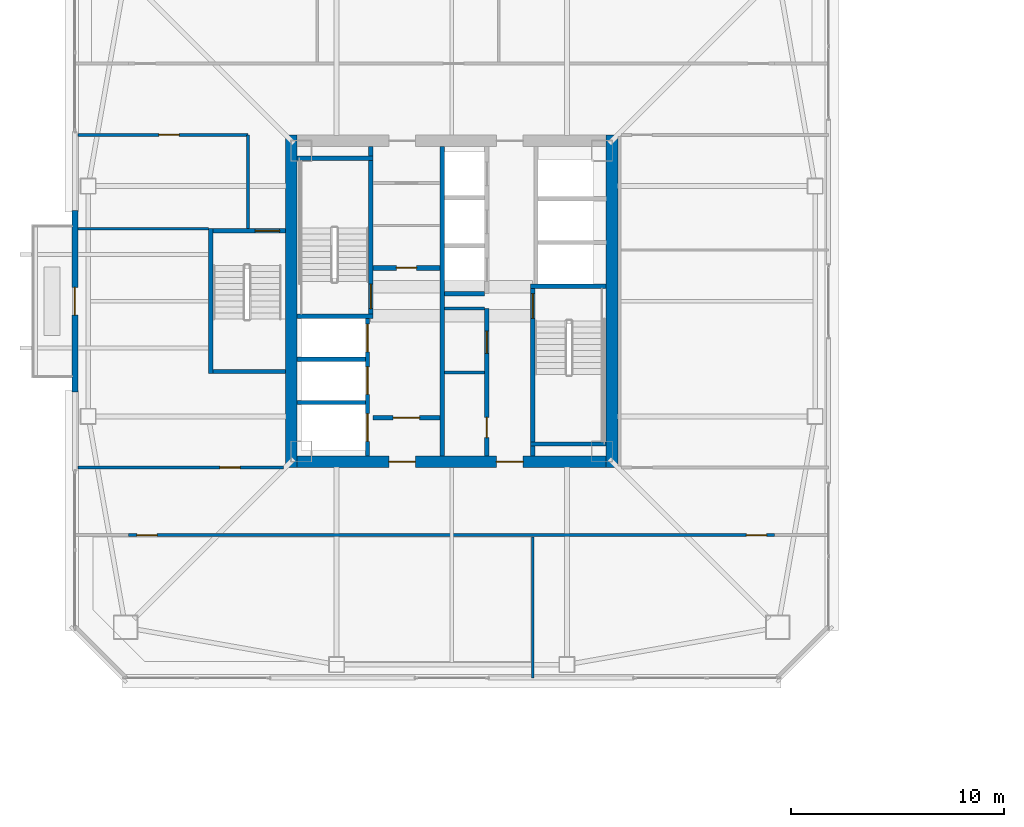
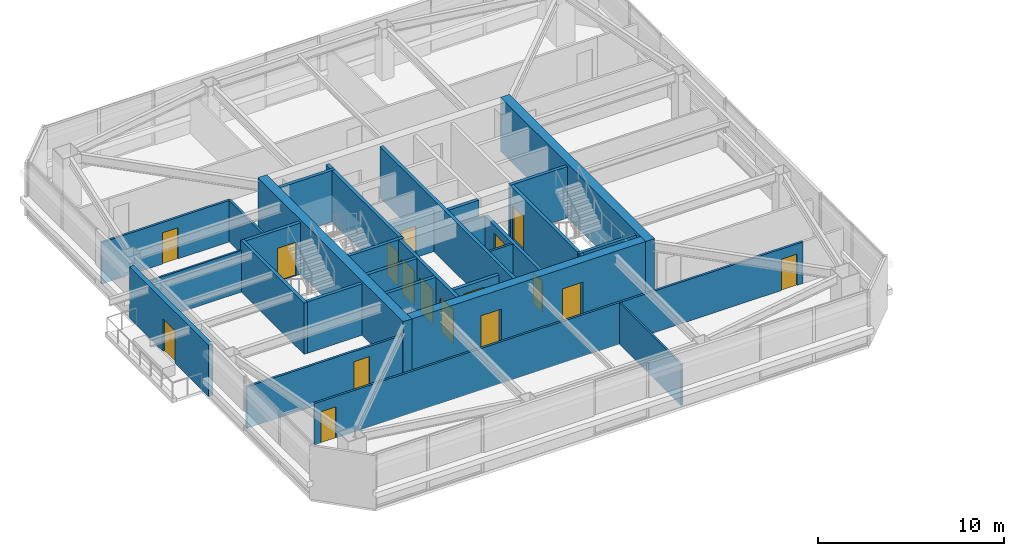
# One storey, part 33 of 43: 29 walls, 17 doors, 17 openings.
"""IFC4 building model written with IfcOpenShell, lengths in metres."""

from ifc_helpers import new_model, si_unit, direction, frame, frame_2d, origin, place, context, subcontext, project, spatial, rectangle, extrude, material, layer, layer_set, type_object, element, fill, save


model = new_model("IFC4")

# Units and contexts
model_context = context("Model", 3, precision=1e-05, world=origin(), true_north=direction((0.0, 1.0)))
body_context = subcontext(model_context, "Body", "Model", "MODEL_VIEW")
ifc_project = project(units=[si_unit("LENGTHUNIT", "METRE"), si_unit("AREAUNIT", "SQUARE_METRE"), si_unit("VOLUMEUNIT", "CUBIC_METRE"), si_unit("PLANEANGLEUNIT", "RADIAN"), si_unit("MASSUNIT", "GRAM", prefix="KILO")], contexts=[model_context])

# Site, building, storey
site_placement = place(None, origin())
site = spatial("IfcSite", under=ifc_project, at=site_placement, CompositionType="ELEMENT")
building_placement = place(site_placement, origin())
building = spatial("IfcBuilding", under=site, at=building_placement, Name="Tashvorn Skyway Center", CompositionType="ELEMENT")
storey_placement = place(building_placement, frame((0.0, 0.0, 185.39990234375)))
storey = spatial("IfcBuildingStorey", under=building, at=storey_placement, Name="L50", CompositionType="ELEMENT", Elevation=185.39990234375)

# Walls
ifc_material_1 = material(Name="Concrete C60/75", Category="concrete")
ifc_layer_1 = layer(ifc_material_1, 0.550048828125)
ifc_layer_set_1 = layer_set([ifc_layer_1], Name="Concrete C60/75")
wall_type_1 = type_object("IfcWallType", Name="WALL-CORE-550", PredefinedType="SHEAR", material=ifc_layer_set_1)
for number, where, z_axis, x_axis, name in (
    (1, (34.47509765625, 24.199951171875, 0.0), (0.0, 0.0, 1.0), (0.0, 1.0, 0.0), "Tower 1 L50 West Core Shear Wall"),
    (2, (49.52490234375, 39.800048828125, 0.0), (0.0, 0.0, 1.0), (0.0, -1.0, 0.0), "Tower 1 L50 East Core Shear Wall"),
):
    element("IfcWall", number, at=place(storey_placement, frame(where, z_axis=z_axis, x_axis=x_axis)), inside=storey, type_object=wall_type_1, Name=name, PredefinedType="SHEAR", context=body_context, shape_type="SweptSolid", body=[
        extrude(rectangle(XDim=15.60009765625, YDim=0.550048828125, at=frame_2d((7.800048828125, 0.0))), origin(), (0.0, 0.0, 1.0), 3.550048828125),
    ])

# Wall, openings, doors
wall_1_placement = place(storey_placement, frame((49.25, 24.47509765625, 0.0), z_axis=(0.0, 0.0, 1.0), x_axis=(-1.0, 0.0, 0.0)))
wall_1 = element("IfcWall", 3, at=wall_1_placement, inside=storey, type_object=wall_type_1, Name="Tower 1 L50 South Core Shear Wall", PredefinedType="SHEAR", context=body_context, shape_type="SweptSolid", body=[
    extrude(rectangle(XDim=14.5, YDim=0.550048828125, at=frame_2d((7.25, 0.0))), origin(), (0.0, 0.0, 1.0), 3.550048828125),
])
opening_1_placement = place(wall_1_placement, frame((8.949951171875, 0.0, 0.0)))
opening_1 = element("IfcOpeningElement", 4, at=opening_1_placement, cuts=wall_1, Name="Opening D-FFL-1250", PredefinedType="OPENING", context=body_context, shape_type="SweptSolid", body=[
    extrude(rectangle(XDim=1.25, YDim=2.25, at=frame_2d((0.625, 1.125))), frame((0.0, 0.284912109375, 0.0), z_axis=(0.0, -1.0, 0.0), x_axis=(1.0, 0.0, 0.0)), (0.0, 0.0, 1.0), 0.570068359375),
])
opening_2_placement = place(wall_1_placement, frame((3.89990234375, 0.0, 0.0)))
opening_2 = element("IfcOpeningElement", 5, at=opening_2_placement, cuts=wall_1, Name="Opening D-FFL-1250", PredefinedType="OPENING", context=body_context, shape_type="SweptSolid", body=[
    extrude(rectangle(XDim=1.25, YDim=2.25, at=frame_2d((0.625, 1.125))), frame((0.0, 0.284912109375, 0.0), z_axis=(0.0, -1.0, 0.0), x_axis=(1.0, 0.0, 0.0)), (0.0, 0.0, 1.0), 0.570068359375),
])
ifc_material_2 = material(Name="Hollow galvanized steel fire door assembly", Category="steel")
door_type_1 = type_object("IfcDoorType", Name="DOOR-FFL-1250", OperationType="NOTDEFINED", PredefinedType="DOOR", material=ifc_material_2)
door_1_placement = place(opening_1_placement, origin())
door_1 = element("IfcDoor", 6, at=door_1_placement, inside=storey, type_object=door_type_1, Name="Tower 1 L50 Core South Firefighting Exit Door", OperationType="SINGLE_SWING_LEFT", OverallHeight=2.25, OverallWidth=1.25, PredefinedType="DOOR", context=body_context, shape_type="SweptSolid", body=[
    extrude(rectangle(XDim=1.25, YDim=2.25, at=frame_2d((0.625, 1.125))), frame((0.0, 0.02490234375, 0.0), z_axis=(0.0, -1.0, 0.0), x_axis=(1.0, 0.0, 0.0)), (0.0, 0.0, 1.0), 0.050048828125),
])
fill(opening_1, door_1)
door_2_placement = place(opening_2_placement, origin())
door_2 = element("IfcDoor", 7, at=door_2_placement, inside=storey, type_object=door_type_1, Name="Tower 1 L50 Core South Lift Lobby Door", OperationType="SINGLE_SWING_RIGHT", OverallHeight=2.25, OverallWidth=1.25, PredefinedType="DOOR", context=body_context, shape_type="SweptSolid", body=[
    extrude(rectangle(XDim=1.25, YDim=2.25, at=frame_2d((0.625, 1.125))), frame((0.0, 0.02490234375, 0.0), z_axis=(0.0, -1.0, 0.0), x_axis=(1.0, 0.0, 0.0)), (0.0, 0.0, 1.0), 0.050048828125),
])
fill(opening_2, door_2)

# Wall, opening, door
ifc_material_3 = material(Name="Precast concrete C40/50", Category="concrete")
ifc_layer_2 = layer(ifc_material_3, 0.280029296875)
ifc_layer_set_2 = layer_set([ifc_layer_2], Name="Precast concrete C40/50")
wall_type_2 = type_object("IfcWallType", Name="WALL-EXT-280", PredefinedType="SOLIDWALL", material=ifc_layer_set_2)
wall_2_placement = place(storey_placement, frame((24.320068359375, 27.75, 0.0), z_axis=(0.0, 0.0, 1.0), x_axis=(0.0, 1.0, 0.0)))
wall_2 = element("IfcWall", 8, at=wall_2_placement, inside=storey, type_object=wall_type_2, Name="Tower 1 L50 West Terrace Portal Wall", PredefinedType="SOLIDWALL", context=body_context, shape_type="SweptSolid", body=[
    extrude(rectangle(XDim=8.5, YDim=0.280029296875, at=frame_2d((4.25, 0.0))), origin(), (0.0, 0.0, 1.0), 3.3701171875),
])
opening_3_placement = place(wall_2_placement, frame((3.60009765625, 0.0, 0.0)))
opening_3 = element("IfcOpeningElement", 9, at=opening_3_placement, cuts=wall_2, Name="Opening D-TER-1300", PredefinedType="OPENING", context=body_context, shape_type="SweptSolid", body=[
    extrude(rectangle(XDim=1.300048828125, YDim=2.14990234375, at=frame_2d((0.64990234375, 1.074951171875))), frame((0.0, 0.14990234375, 0.0), z_axis=(0.0, -1.0, 0.0), x_axis=(1.0, 0.0, 0.0)), (0.0, 0.0, 1.0), 0.300048828125),
])
ifc_material_4 = material(Name="Thermally broken bronze-anodized aluminium 6063-T6", Category="aluminium")
door_type_2 = type_object("IfcDoorType", Name="DOOR-TERR-1300", OperationType="NOTDEFINED", PredefinedType="DOOR", material=ifc_material_4)
door_3_placement = place(opening_3_placement, origin())
door_3 = element("IfcDoor", 10, at=door_3_placement, inside=storey, type_object=door_type_2, Name="Tower 1 L50 Terrace Access Door", OperationType="SINGLE_SWING_RIGHT", OverallHeight=2.14990234375, OverallWidth=1.300048828125, PredefinedType="DOOR", context=body_context, shape_type="SweptSolid", body=[
    extrude(rectangle(XDim=1.300048828125, YDim=2.14990234375, at=frame_2d((0.64990234375, 1.074951171875))), frame((0.0, 0.02490234375, 0.0), z_axis=(0.0, -1.0, 0.0), x_axis=(1.0, 0.0, 0.0)), (0.0, 0.0, 1.0), 0.050048828125),
])
fill(opening_3, door_3)

ifc_material_5 = material(Name="Concrete C40/50", Category="concrete")
ifc_layer_3 = layer(ifc_material_5, 0.219970703125)
ifc_layer_set_3 = layer_set([ifc_layer_3], Name="Concrete C40/50")
wall_type_3 = type_object("IfcWallType", Name="WALL-FFL-220", PredefinedType="SOLIDWALL", material=ifc_layer_set_3)
wall_3_placement = place(storey_placement, frame((38.300048828125, 33.56005859375, 0.0), z_axis=(0.0, 0.0, 1.0), x_axis=(1.0, 0.0, 0.0)))
wall_3 = element("IfcWall", 11, at=wall_3_placement, inside=storey, type_object=wall_type_3, Name="Tower 1 L50 Firefighting Lobby North Wall", PredefinedType="SOLIDWALL", context=body_context, shape_type="SweptSolid", body=[
    extrude(rectangle(XDim=3.14990234375, YDim=0.219970703125, at=frame_2d((1.574951171875, 0.0))), origin(), (0.0, 0.0, 1.0), 2.72314453125),
])
opening_4_placement = place(wall_3_placement, frame((1.10009765625, 0.0, 0.0)))
opening_4 = element("IfcOpeningElement", 12, at=opening_4_placement, cuts=wall_3, Name="Opening D-RT-950", PredefinedType="OPENING", context=body_context, shape_type="SweptSolid", body=[
    extrude(rectangle(XDim=0.949951171875, YDim=2.050048828125, at=frame_2d((0.47509765625, 1.02490234375))), frame((0.0, 0.119873046875, 0.0), z_axis=(0.0, -1.0, 0.0), x_axis=(1.0, 0.0, 0.0)), (0.0, 0.0, 1.0), 0.239990234375),
])
door_type_3 = type_object("IfcDoorType", Name="DOOR-RATED-950", OperationType="NOTDEFINED", PredefinedType="DOOR", material=ifc_material_2)
door_4_placement = place(opening_4_placement, origin())
door_4 = element("IfcDoor", 13, at=door_4_placement, inside=storey, type_object=door_type_3, Name="Tower 1 L50 Core Linen Store Door", OperationType="SINGLE_SWING_LEFT", OverallHeight=2.050048828125, OverallWidth=0.949951171875, PredefinedType="DOOR", context=body_context, shape_type="SweptSolid", body=[
    extrude(rectangle(XDim=0.949951171875, YDim=2.050048828125, at=frame_2d((0.47509765625, 1.02490234375))), frame((0.0, 0.02490234375, 0.0), z_axis=(0.0, -1.0, 0.0), x_axis=(1.0, 0.0, 0.0)), (0.0, 0.0, 1.0), 0.050048828125),
])
fill(opening_4, door_4)

wall_4_placement = place(storey_placement, frame((38.300048828125, 26.5400390625, 0.0), z_axis=(0.0, 0.0, 1.0), x_axis=(1.0, 0.0, 0.0)))
wall_4 = element("IfcWall", 14, at=wall_4_placement, inside=storey, type_object=wall_type_3, Name="Tower 1 L50 Firefighting Lobby South Wall", PredefinedType="SOLIDWALL", context=body_context, shape_type="SweptSolid", body=[
    extrude(rectangle(XDim=3.14990234375, YDim=0.219970703125, at=frame_2d((1.574951171875, 0.0))), origin(), (0.0, 0.0, 1.0), 2.72314453125),
])
opening_5_placement = place(wall_4_placement, frame((0.949951171875, 0.0, 0.0)))
opening_5 = element("IfcOpeningElement", 15, at=opening_5_placement, cuts=wall_4, Name="Opening D-FFL-1250", PredefinedType="OPENING", context=body_context, shape_type="SweptSolid", body=[
    extrude(rectangle(XDim=1.25, YDim=2.25, at=frame_2d((0.625, 1.125))), frame((0.0, 0.119873046875, 0.0), z_axis=(0.0, -1.0, 0.0), x_axis=(1.0, 0.0, 0.0)), (0.0, 0.0, 1.0), 0.239990234375),
])
door_5_placement = place(opening_5_placement, origin())
door_5 = element("IfcDoor", 16, at=door_5_placement, inside=storey, type_object=door_type_1, Name="Tower 1 L50 Firefighting Lobby Egress Door", OperationType="SINGLE_SWING_LEFT", OverallHeight=2.25, OverallWidth=1.25, PredefinedType="DOOR", context=body_context, shape_type="SweptSolid", body=[
    extrude(rectangle(XDim=1.25, YDim=2.25, at=frame_2d((0.625, 1.125))), frame((0.0, 0.02490234375, 0.0), z_axis=(0.0, -1.0, 0.0), x_axis=(1.0, 0.0, 0.0)), (0.0, 0.0, 1.0), 0.050048828125),
])
fill(opening_5, door_5)

# Walls
ifc_material_6 = material(Name="Gypsum board on cold-formed steel stud framing", Category="steel")
ifc_layer_4 = layer(ifc_material_6, 0.110107421875)
ifc_layer_set_4 = layer_set([ifc_layer_4], Name="Gypsum board on cold-formed steel stud framing")
wall_type_4 = type_object("IfcWallType", Name="WALL-PART-110", PredefinedType="PARTITIONING", material=ifc_layer_set_4)
wall_5_placement = place(storey_placement, frame((45.800048828125, 14.320068359375, 0.0), z_axis=(0.0, 0.0, 1.0), x_axis=(0.0, 1.0, 0.0)))
element("IfcWall", 17, at=wall_5_placement, inside=storey, type_object=wall_type_4, Name="Tower 1 L50 South Suite Partition 1", PredefinedType="PARTITIONING", context=body_context, shape_type="SweptSolid", body=[
    extrude(rectangle(XDim=6.6298828125, YDim=0.110107421875, at=frame_2d((3.31494140625, 0.0))), origin(), (0.0, 0.0, 1.0), 2.72314453125),
])
wall_6_placement = place(storey_placement, frame((30.60009765625, 35.39990234375, 0.0), z_axis=(0.0, 0.0, 1.0), x_axis=(-1.0, 0.0, 0.0)))
element("IfcWall", 18, at=wall_6_placement, inside=storey, type_object=wall_type_4, Name="Tower 1 L50 West Suite Partition 1", PredefinedType="PARTITIONING", context=body_context, shape_type="SweptSolid", body=[
    extrude(rectangle(XDim=6.130126953125, YDim=0.110107421875, at=frame_2d((3.06494140625, 0.0))), origin(), (0.0, 0.0, 1.0), 2.72314453125),
])
ifc_layer_5 = layer(ifc_material_6, 0.135009765625)
ifc_layer_set_5 = layer_set([ifc_layer_5], Name="Gypsum board on cold-formed steel stud framing")
wall_type_5 = type_object("IfcWallType", Name="WALL-PART-135", PredefinedType="PARTITIONING", material=ifc_layer_set_5)
wall_7_placement = place(storey_placement, frame((32.449951171875, 35.39990234375, 0.0), z_axis=(0.0, 0.0, 1.0), x_axis=(0.0, 1.0, 0.0)))
element("IfcWall", 19, at=wall_7_placement, inside=storey, type_object=wall_type_5, Name="Tower 1 L50 Stair 3 Access Corridor Wall", PredefinedType="PARTITIONING", context=body_context, shape_type="SweptSolid", body=[
    extrude(rectangle(XDim=4.400146484375, YDim=0.135009765625, at=frame_2d((2.2001953125, 0.0))), origin(), (0.0, 0.0, 1.0), 2.72314453125),
])

# Wall, openings, doors
wall_8_placement = place(storey_placement, frame((57.14990234375, 21.030029296875, 0.0), z_axis=(0.0, 0.0, 1.0), x_axis=(-1.0, 0.0, 0.0)))
wall_8 = element("IfcWall", 20, at=wall_8_placement, inside=storey, type_object=wall_type_5, Name="Tower 1 L50 South Suite Wall", PredefinedType="PARTITIONING", context=body_context, shape_type="SweptSolid", body=[
    extrude(rectangle(XDim=30.2998046875, YDim=0.135009765625, at=frame_2d((15.14990234375, 0.0))), origin(), (0.0, 0.0, 1.0), 2.72314453125),
])
opening_6_placement = place(wall_8_placement, frame((28.969970703125, 0.0, 0.0)))
opening_6 = element("IfcOpeningElement", 21, at=opening_6_placement, cuts=wall_8, Name="Opening D-INT-950", PredefinedType="OPENING", context=body_context, shape_type="SweptSolid", body=[
    extrude(rectangle(XDim=0.949951171875, YDim=2.050048828125, at=frame_2d((0.47509765625, 1.02490234375))), frame((0.0, 0.077392578125, 0.0), z_axis=(0.0, -1.0, 0.0), x_axis=(1.0, 0.0, 0.0)), (0.0, 0.0, 1.0), 0.155029296875),
])
opening_7_placement = place(wall_8_placement, frame((0.3798828125, 0.0, 0.0)))
opening_7 = element("IfcOpeningElement", 22, at=opening_7_placement, cuts=wall_8, Name="Opening D-INT-950", PredefinedType="OPENING", context=body_context, shape_type="SweptSolid", body=[
    extrude(rectangle(XDim=0.949951171875, YDim=2.050048828125, at=frame_2d((0.47509765625, 1.02490234375))), frame((0.0, 0.077392578125, 0.0), z_axis=(0.0, -1.0, 0.0), x_axis=(1.0, 0.0, 0.0)), (0.0, 0.0, 1.0), 0.155029296875),
])
ifc_material_7 = material(Name="Solid-core architectural oak veneer door")
door_type_4 = type_object("IfcDoorType", Name="DOOR-INT-950", OperationType="NOTDEFINED", PredefinedType="DOOR", material=ifc_material_7)
door_6_placement = place(opening_6_placement, origin())
door_6 = element("IfcDoor", 23, at=door_6_placement, inside=storey, type_object=door_type_4, Name="Tower 1 L50 Executive Study Lounge Door", OperationType="SINGLE_SWING_RIGHT", OverallHeight=2.050048828125, OverallWidth=0.949951171875, PredefinedType="DOOR", context=body_context, shape_type="SweptSolid", body=[
    extrude(rectangle(XDim=0.949951171875, YDim=2.050048828125, at=frame_2d((0.47509765625, 1.02490234375))), frame((0.0, 0.02490234375, 0.0), z_axis=(0.0, -1.0, 0.0), x_axis=(1.0, 0.0, 0.0)), (0.0, 0.0, 1.0), 0.050048828125),
])
fill(opening_6, door_6)
door_7_placement = place(opening_7_placement, origin())
door_7 = element("IfcDoor", 24, at=door_7_placement, inside=storey, type_object=door_type_4, Name="Tower 1 L50 Staff Fitness Club Door", OperationType="SINGLE_SWING_LEFT", OverallHeight=2.050048828125, OverallWidth=0.949951171875, PredefinedType="DOOR", context=body_context, shape_type="SweptSolid", body=[
    extrude(rectangle(XDim=0.949951171875, YDim=2.050048828125, at=frame_2d((0.47509765625, 1.02490234375))), frame((0.0, 0.02490234375, 0.0), z_axis=(0.0, -1.0, 0.0), x_axis=(1.0, 0.0, 0.0)), (0.0, 0.0, 1.0), 0.050048828125),
])
fill(opening_7, door_7)

# Wall, opening, door
wall_9_placement = place(storey_placement, frame((32.449951171875, 39.800048828125, 0.0), z_axis=(0.0, 0.0, 1.0), x_axis=(-1.0, 0.0, 0.0)))
wall_9 = element("IfcWall", 25, at=wall_9_placement, inside=storey, type_object=wall_type_5, Name="Tower 1 L50 West Suite North Wall", PredefinedType="PARTITIONING", context=body_context, shape_type="SweptSolid", body=[
    extrude(rectangle(XDim=7.97998046875, YDim=0.135009765625, at=frame_2d((3.989990234375, 0.0))), origin(), (0.0, 0.0, 1.0), 2.72314453125),
])
opening_8_placement = place(wall_9_placement, frame((3.239990234375, 0.0, 0.0)))
opening_8 = element("IfcOpeningElement", 26, at=opening_8_placement, cuts=wall_9, Name="Opening D-INT-950", PredefinedType="OPENING", context=body_context, shape_type="SweptSolid", body=[
    extrude(rectangle(XDim=0.949951171875, YDim=2.050048828125, at=frame_2d((0.47509765625, 1.02490234375))), frame((0.0, 0.077392578125, 0.0), z_axis=(0.0, -1.0, 0.0), x_axis=(1.0, 0.0, 0.0)), (0.0, 0.0, 1.0), 0.155029296875),
])
door_8_placement = place(opening_8_placement, origin())
door_8 = element("IfcDoor", 27, at=door_8_placement, inside=storey, type_object=door_type_4, Name="Tower 1 L50 Reading Lounge Door", OperationType="SINGLE_SWING_RIGHT", OverallHeight=2.050048828125, OverallWidth=0.949951171875, PredefinedType="DOOR", context=body_context, shape_type="SweptSolid", body=[
    extrude(rectangle(XDim=0.949951171875, YDim=2.050048828125, at=frame_2d((0.47509765625, 1.02490234375))), frame((0.0, 0.02490234375, 0.0), z_axis=(0.0, -1.0, 0.0), x_axis=(1.0, 0.0, 0.0)), (0.0, 0.0, 1.0), 0.050048828125),
])
fill(opening_8, door_8)

wall_10_placement = place(storey_placement, frame((24.469970703125, 24.199951171875, 0.0), z_axis=(0.0, 0.0, 1.0), x_axis=(1.0, 0.0, 0.0)))
wall_10 = element("IfcWall", 28, at=wall_10_placement, inside=storey, type_object=wall_type_5, Name="Tower 1 L50 West Suite South Wall", PredefinedType="PARTITIONING", context=body_context, shape_type="SweptSolid", body=[
    extrude(rectangle(XDim=9.650146484375, YDim=0.135009765625, at=frame_2d((4.8251953125, 0.0))), origin(), (0.0, 0.0, 1.0), 2.72314453125),
])
opening_9_placement = place(wall_10_placement, frame((6.655029296875, 0.0, 0.0)))
opening_9 = element("IfcOpeningElement", 29, at=opening_9_placement, cuts=wall_10, Name="Opening D-INT-950", PredefinedType="OPENING", context=body_context, shape_type="SweptSolid", body=[
    extrude(rectangle(XDim=0.949951171875, YDim=2.050048828125, at=frame_2d((0.47509765625, 1.02490234375))), frame((0.0, 0.077392578125, 0.0), z_axis=(0.0, -1.0, 0.0), x_axis=(1.0, 0.0, 0.0)), (0.0, 0.0, 1.0), 0.155029296875),
])
door_9_placement = place(opening_9_placement, origin())
door_9 = element("IfcDoor", 30, at=door_9_placement, inside=storey, type_object=door_type_4, Name="Tower 1 L50 Public Restroom Door", OperationType="SINGLE_SWING_LEFT", OverallHeight=2.050048828125, OverallWidth=0.949951171875, PredefinedType="DOOR", context=body_context, shape_type="SweptSolid", body=[
    extrude(rectangle(XDim=0.949951171875, YDim=2.050048828125, at=frame_2d((0.47509765625, 1.02490234375))), frame((0.0, 0.02490234375, 0.0), z_axis=(0.0, -1.0, 0.0), x_axis=(1.0, 0.0, 0.0)), (0.0, 0.0, 1.0), 0.050048828125),
])
fill(opening_9, door_9)

# Walls
ifc_layer_6 = layer(ifc_material_6, 0.135009765625)
ifc_layer_set_6 = layer_set([ifc_layer_6], Name="Gypsum board on cold-formed steel stud framing")
wall_type_6 = type_object("IfcWallType", Name="WALL-RATED-135", PredefinedType="PARTITIONING", material=ifc_layer_set_6)
for number, where, z_axis, x_axis, name in (
    (31, (41.669921875, 31.64990234375, 0.0), (0.0, 0.0, 1.0), (1.0, 0.0, 0.0), "Tower 1 L50 Core Room Partition"),
    (32, (41.669921875, 28.64990234375, 0.0), (0.0, 0.0, 1.0), (1.0, 0.0, 0.0), "Tower 1 L50 Freed Core Partition"),
):
    element("IfcWall", number, at=place(storey_placement, frame(where, z_axis=z_axis, x_axis=x_axis)), inside=storey, type_object=wall_type_6, Name=name, PredefinedType="PARTITIONING", context=body_context, shape_type="SweptSolid", body=[
        extrude(rectangle(XDim=1.880126953125, YDim=0.135009765625, at=frame_2d((0.93994140625, 0.0))), origin(), (0.0, 0.0, 1.0), 2.72314453125),
    ])
ifc_layer_7 = layer(ifc_material_5, 0.199951171875)
ifc_layer_set_7 = layer_set([ifc_layer_7], Name="Concrete C40/50")
wall_type_7 = type_object("IfcWallType", Name="WALL-SHAFT-200", PredefinedType="SOLIDWALL", material=ifc_layer_set_7)
for number, where, z_axis, x_axis, name in (
    (33, (34.75, 27.25, 0.0), (0.0, 0.0, 1.0), (1.0, 0.0, 0.0), "Tower 1 L50 FSAE Shaft Divider"),
    (34, (34.75, 29.280029296875, 0.0), (0.0, 0.0, 1.0), (1.0, 0.0, 0.0), "Tower 1 L50 FSAE Shaft Divider"),
):
    element("IfcWall", number, at=place(storey_placement, frame(where, z_axis=z_axis, x_axis=x_axis)), inside=storey, type_object=wall_type_7, Name=name, PredefinedType="SOLIDWALL", context=body_context, shape_type="SweptSolid", body=[
        extrude(rectangle(XDim=3.199951171875, YDim=0.199951171875, at=frame_2d((1.60009765625, 0.0))), origin(), (0.0, 0.0, 1.0), 3.3701171875),
    ])

# Wall, openings, doors
wall_11_placement = place(storey_placement, frame((43.64990234375, 24.75, 0.0), z_axis=(0.0, 0.0, 1.0), x_axis=(0.0, 1.0, 0.0)))
wall_11 = element("IfcWall", 35, at=wall_11_placement, inside=storey, type_object=wall_type_7, Name="Tower 1 L50 Low-Rise Core Wall", PredefinedType="SOLIDWALL", context=body_context, shape_type="SweptSolid", body=[
    extrude(rectangle(XDim=6.89990234375, YDim=0.199951171875, at=frame_2d((3.449951171875, 0.0))), origin(), (0.0, 0.0, 1.0), 2.72314453125),
])
opening_10_placement = place(wall_11_placement, frame((0.85009765625, 0.0, 0.0)))
opening_10 = element("IfcOpeningElement", 36, at=opening_10_placement, cuts=wall_11, Name="Opening D-RT-950", PredefinedType="OPENING", context=body_context, shape_type="SweptSolid", body=[
    extrude(rectangle(XDim=0.949951171875, YDim=2.050048828125, at=frame_2d((0.47509765625, 1.02490234375))), frame((0.0, 0.10986328125, 0.0), z_axis=(0.0, -1.0, 0.0), x_axis=(1.0, 0.0, 0.0)), (0.0, 0.0, 1.0), 0.219970703125),
])
opening_11_placement = place(wall_11_placement, frame((4.800048828125, 0.0, 0.0)))
opening_11 = element("IfcOpeningElement", 37, at=opening_11_placement, cuts=wall_11, Name="Opening D-RT-1050", PredefinedType="OPENING", context=body_context, shape_type="SweptSolid", body=[
    extrude(rectangle(XDim=1.050048828125, YDim=2.199951171875, at=frame_2d((0.52490234375, 1.10009765625))), frame((0.0, 0.10986328125, 0.0), z_axis=(0.0, -1.0, 0.0), x_axis=(1.0, 0.0, 0.0)), (0.0, 0.0, 1.0), 0.219970703125),
])
door_type_5 = type_object("IfcDoorType", Name="DOOR-RATED-1050", OperationType="NOTDEFINED", PredefinedType="DOOR", material=ifc_material_2)
door_10_placement = place(opening_11_placement, origin())
door_10 = element("IfcDoor", 38, at=door_10_placement, inside=storey, type_object=door_type_5, Name="Tower 1 L50 Freed Core Room Door", OperationType="SINGLE_SWING_RIGHT", OverallHeight=2.199951171875, OverallWidth=1.050048828125, PredefinedType="DOOR", context=body_context, shape_type="SweptSolid", body=[
    extrude(rectangle(XDim=1.050048828125, YDim=2.199951171875, at=frame_2d((0.52490234375, 1.10009765625))), frame((0.0, 0.02490234375, 0.0), z_axis=(0.0, -1.0, 0.0), x_axis=(1.0, 0.0, 0.0)), (0.0, 0.0, 1.0), 0.050048828125),
])
fill(opening_11, door_10)
door_11_placement = place(opening_10_placement, origin())
door_11 = element("IfcDoor", 39, at=door_11_placement, inside=storey, type_object=door_type_3, Name="Tower 1 L50 Core Print Room Door", OperationType="SINGLE_SWING_LEFT", OverallHeight=2.050048828125, OverallWidth=0.949951171875, PredefinedType="DOOR", context=body_context, shape_type="SweptSolid", body=[
    extrude(rectangle(XDim=0.949951171875, YDim=2.050048828125, at=frame_2d((0.47509765625, 1.02490234375))), frame((0.0, 0.02490234375, 0.0), z_axis=(0.0, -1.0, 0.0), x_axis=(1.0, 0.0, 0.0)), (0.0, 0.0, 1.0), 0.050048828125),
])
fill(opening_10, door_11)

# Wall
wall_12_placement = place(storey_placement, frame((41.669921875, 32.35009765625, 0.0), z_axis=(0.0, 0.0, 1.0), x_axis=(1.0, 0.0, 0.0)))
element("IfcWall", 40, at=wall_12_placement, inside=storey, type_object=wall_type_7, Name="Tower 1 L50 Mid-Rise Shaft Divider", PredefinedType="SOLIDWALL", context=body_context, shape_type="SweptSolid", body=[
    extrude(rectangle(XDim=1.880126953125, YDim=0.199951171875, at=frame_2d((0.93994140625, 0.0))), origin(), (0.0, 0.0, 1.0), 3.3701171875),
])

# Wall, opening, door
ifc_layer_8 = layer(ifc_material_5, 0.199951171875)
ifc_layer_set_8 = layer_set([ifc_layer_8], Name="Concrete C40/50")
wall_type_8 = type_object("IfcWallType", Name="WALL-STSHF-200", PredefinedType="SHEAR", material=ifc_layer_set_8)
wall_13_placement = place(storey_placement, frame((38.199951171875, 31.199951171875, 0.0), z_axis=(0.0, 0.0, 1.0), x_axis=(0.0, 1.0, 0.0)))
wall_13 = element("IfcWall", 41, at=wall_13_placement, inside=storey, type_object=wall_type_8, Name="Tower 1 L50 Stair 1 Enclosure Wall", PredefinedType="SHEAR", context=body_context, shape_type="SweptSolid", body=[
    extrude(rectangle(XDim=8.050048828125, YDim=0.199951171875, at=frame_2d((4.02490234375, 0.0))), origin(), (0.0, 0.0, 1.0), 3.3701171875),
])
opening_12_placement = place(wall_13_placement, frame((0.449951171875, 0.0, 0.0)))
opening_12 = element("IfcOpeningElement", 42, at=opening_12_placement, cuts=wall_13, Name="Opening D-ST-1150", PredefinedType="OPENING", context=body_context, shape_type="SweptSolid", body=[
    extrude(rectangle(XDim=1.14990234375, YDim=2.199951171875, at=frame_2d((0.574951171875, 1.10009765625))), frame((0.0, 0.10986328125, 0.0), z_axis=(0.0, -1.0, 0.0), x_axis=(1.0, 0.0, 0.0)), (0.0, 0.0, 1.0), 0.219970703125),
])
door_type_6 = type_object("IfcDoorType", Name="DOOR-STAIR-1150", OperationType="NOTDEFINED", PredefinedType="DOOR", material=ifc_material_2)
door_12_placement = place(opening_12_placement, origin())
door_12 = element("IfcDoor", 43, at=door_12_placement, inside=storey, type_object=door_type_6, Name="Tower 1 L50 Exit Stair 1 Door", OperationType="SINGLE_SWING_RIGHT", OverallHeight=2.199951171875, OverallWidth=1.14990234375, PredefinedType="DOOR", context=body_context, shape_type="SweptSolid", body=[
    extrude(rectangle(XDim=1.14990234375, YDim=2.199951171875, at=frame_2d((0.574951171875, 1.10009765625))), frame((0.0, 0.02490234375, 0.0), z_axis=(0.0, -1.0, 0.0), x_axis=(1.0, 0.0, 0.0)), (0.0, 0.0, 1.0), 0.050048828125),
])
fill(opening_12, door_12)

# Walls
for number, where, z_axis, x_axis, name in (
    (44, (34.75, 31.300048828125, 0.0), (0.0, 0.0, 1.0), (1.0, 0.0, 0.0), "Tower 1 L50 Stair 1 South Wall"),
    (45, (34.75, 38.699951171875, 0.0), (0.0, 0.0, 1.0), (1.0, 0.0, 0.0), "Tower 1 L50 Stair 1 North Wall"),
):
    element("IfcWall", number, at=place(storey_placement, frame(where, z_axis=z_axis, x_axis=x_axis)), inside=storey, type_object=wall_type_8, Name=name, PredefinedType="SHEAR", context=body_context, shape_type="SweptSolid", body=[
        extrude(rectangle(XDim=3.550048828125, YDim=0.199951171875, at=frame_2d((1.77490234375, 0.0))), origin(), (0.0, 0.0, 1.0), 3.3701171875),
    ])

# Wall, opening, door
wall_14_placement = place(storey_placement, frame((45.800048828125, 32.800048828125, 0.0), z_axis=(0.0, 0.0, 1.0), x_axis=(0.0, -1.0, 0.0)))
wall_14 = element("IfcWall", 46, at=wall_14_placement, inside=storey, type_object=wall_type_8, Name="Tower 1 L50 Stair 2 Enclosure Wall", PredefinedType="SHEAR", context=body_context, shape_type="SweptSolid", body=[
    extrude(rectangle(XDim=8.050048828125, YDim=0.199951171875, at=frame_2d((4.02490234375, 0.0))), origin(), (0.0, 0.0, 1.0), 3.3701171875),
])
opening_13_placement = place(wall_14_placement, frame((0.449951171875, 0.0, 0.0)))
opening_13 = element("IfcOpeningElement", 47, at=opening_13_placement, cuts=wall_14, Name="Opening D-ST-1150", PredefinedType="OPENING", context=body_context, shape_type="SweptSolid", body=[
    extrude(rectangle(XDim=1.14990234375, YDim=2.199951171875, at=frame_2d((0.574951171875, 1.10009765625))), frame((0.0, 0.10986328125, 0.0), z_axis=(0.0, -1.0, 0.0), x_axis=(1.0, 0.0, 0.0)), (0.0, 0.0, 1.0), 0.219970703125),
])
door_13_placement = place(opening_13_placement, origin())
door_13 = element("IfcDoor", 48, at=door_13_placement, inside=storey, type_object=door_type_6, Name="Tower 1 L50 Exit Stair 2 Door", OperationType="SINGLE_SWING_RIGHT", OverallHeight=2.199951171875, OverallWidth=1.14990234375, PredefinedType="DOOR", context=body_context, shape_type="SweptSolid", body=[
    extrude(rectangle(XDim=1.14990234375, YDim=2.199951171875, at=frame_2d((0.574951171875, 1.10009765625))), frame((0.0, 0.02490234375, 0.0), z_axis=(0.0, -1.0, 0.0), x_axis=(1.0, 0.0, 0.0)), (0.0, 0.0, 1.0), 0.050048828125),
])
fill(opening_13, door_13)

# Walls
for number, where, z_axis, x_axis, name in (
    (49, (45.699951171875, 32.699951171875, 0.0), (0.0, 0.0, 1.0), (1.0, 0.0, 0.0), "Tower 1 L50 Stair 2 North Wall"),
    (50, (45.699951171875, 25.300048828125, 0.0), (0.0, 0.0, 1.0), (1.0, 0.0, 0.0), "Tower 1 L50 Stair 2 South Wall"),
):
    element("IfcWall", number, at=place(storey_placement, frame(where, z_axis=z_axis, x_axis=x_axis)), inside=storey, type_object=wall_type_8, Name=name, PredefinedType="SHEAR", context=body_context, shape_type="SweptSolid", body=[
        extrude(rectangle(XDim=3.550048828125, YDim=0.199951171875, at=frame_2d((1.77490234375, 0.0))), origin(), (0.0, 0.0, 1.0), 3.3701171875),
    ])
wall_15_placement = place(storey_placement, frame((41.56005859375, 24.75, 0.0), z_axis=(0.0, 0.0, 1.0), x_axis=(0.0, 1.0, 0.0)))
element("IfcWall", 51, at=wall_15_placement, inside=storey, type_object=wall_type_8, Name="Tower 1 L50 Firefighting Lobby East Smoke Barrier", PredefinedType="SHEAR", context=body_context, shape_type="SweptSolid", body=[
    extrude(rectangle(XDim=14.5, YDim=0.199951171875, at=frame_2d((7.25, 0.0))), origin(), (0.0, 0.0, 1.0), 3.3701171875),
])

# Wall, openings, doors
wall_16_placement = place(storey_placement, frame((38.050048828125, 24.75, 0.0), z_axis=(0.0, 0.0, 1.0), x_axis=(0.0, 1.0, 0.0)))
wall_16 = element("IfcWall", 52, at=wall_16_placement, inside=storey, type_object=wall_type_8, Name="Tower 1 L50 FSAE and Goods Shaft Front Wall", PredefinedType="SHEAR", context=body_context, shape_type="SweptSolid", body=[
    extrude(rectangle(XDim=6.449951171875, YDim=0.199951171875, at=frame_2d((3.22509765625, 0.0))), origin(), (0.0, 0.0, 1.0), 3.3701171875),
])
opening_14_placement = place(wall_16_placement, frame((4.875, 0.0, 0.0)))
opening_14 = element("IfcOpeningElement", 53, at=opening_14_placement, cuts=wall_16, Name="Opening LD-FF-T1-1-L50", PredefinedType="OPENING", context=body_context, shape_type="SweptSolid", body=[
    extrude(rectangle(XDim=1.300048828125, YDim=2.25, at=frame_2d((0.64990234375, 1.125))), frame((0.0, 0.10986328125, 0.0), z_axis=(0.0, -1.0, 0.0), x_axis=(1.0, 0.0, 0.0)), (0.0, 0.0, 1.0), 0.219970703125),
])
opening_15_placement = place(wall_16_placement, frame((2.875, 0.0, 0.0)))
opening_15 = element("IfcOpeningElement", 54, at=opening_15_placement, cuts=wall_16, Name="Opening LD-FF-T1-2-L50", PredefinedType="OPENING", context=body_context, shape_type="SweptSolid", body=[
    extrude(rectangle(XDim=1.300048828125, YDim=2.25, at=frame_2d((0.64990234375, 1.125))), frame((0.0, 0.10986328125, 0.0), z_axis=(0.0, -1.0, 0.0), x_axis=(1.0, 0.0, 0.0)), (0.0, 0.0, 1.0), 0.219970703125),
])
opening_16_placement = place(wall_16_placement, frame((0.675048828125, 0.0, 0.0)))
opening_16 = element("IfcOpeningElement", 55, at=opening_16_placement, cuts=wall_16, Name="Opening LD-GD-T1-1-L50", PredefinedType="OPENING", context=body_context, shape_type="SweptSolid", body=[
    extrude(rectangle(XDim=1.300048828125, YDim=2.25, at=frame_2d((0.64990234375, 1.125))), frame((0.0, 0.10986328125, 0.0), z_axis=(0.0, -1.0, 0.0), x_axis=(1.0, 0.0, 0.0)), (0.0, 0.0, 1.0), 0.219970703125),
])
ifc_material_8 = material(Name="Stainless steel heavy-duty landing door", Category="steel")
door_type_7 = type_object("IfcDoorType", Name="DOOR-LIFT-1300", OperationType="SLIDING_TO_LEFT", PredefinedType="DOOR", material=ifc_material_8)
door_14_placement = place(opening_14_placement, origin())
door_14 = element("IfcDoor", 56, at=door_14_placement, inside=storey, type_object=door_type_7, Name="Lift FF-T1-1 L50 Landing Door", OperationType="SLIDING_TO_LEFT", OverallHeight=2.25, OverallWidth=1.300048828125, PredefinedType="DOOR", context=body_context, shape_type="SweptSolid", body=[
    extrude(rectangle(XDim=1.300048828125, YDim=2.25, at=frame_2d((0.64990234375, 1.125))), frame((0.0, 0.02490234375, 0.0), z_axis=(0.0, -1.0, 0.0), x_axis=(1.0, 0.0, 0.0)), (0.0, 0.0, 1.0), 0.050048828125),
])
fill(opening_14, door_14)
door_15_placement = place(opening_15_placement, origin())
door_15 = element("IfcDoor", 57, at=door_15_placement, inside=storey, type_object=door_type_7, Name="Lift FF-T1-2 L50 Landing Door", OperationType="SLIDING_TO_LEFT", OverallHeight=2.25, OverallWidth=1.300048828125, PredefinedType="DOOR", context=body_context, shape_type="SweptSolid", body=[
    extrude(rectangle(XDim=1.300048828125, YDim=2.25, at=frame_2d((0.64990234375, 1.125))), frame((0.0, 0.02490234375, 0.0), z_axis=(0.0, -1.0, 0.0), x_axis=(1.0, 0.0, 0.0)), (0.0, 0.0, 1.0), 0.050048828125),
])
fill(opening_15, door_15)
door_16_placement = place(opening_16_placement, origin())
door_16 = element("IfcDoor", 58, at=door_16_placement, inside=storey, type_object=door_type_7, Name="Lift GD-T1-1 L50 Landing Door", OperationType="SLIDING_TO_LEFT", OverallHeight=2.25, OverallWidth=1.300048828125, PredefinedType="DOOR", context=body_context, shape_type="SweptSolid", body=[
    extrude(rectangle(XDim=1.300048828125, YDim=2.25, at=frame_2d((0.64990234375, 1.125))), frame((0.0, 0.02490234375, 0.0), z_axis=(0.0, -1.0, 0.0), x_axis=(1.0, 0.0, 0.0)), (0.0, 0.0, 1.0), 0.050048828125),
])
fill(opening_16, door_16)

# Wall
wall_17_placement = place(storey_placement, frame((30.699951171875, 28.60009765625, 0.0), z_axis=(0.0, 0.0, 1.0), x_axis=(0.0, 1.0, 0.0)))
element("IfcWall", 59, at=wall_17_placement, inside=storey, type_object=wall_type_8, Name="Tower 1 L50 Stair 3 Outer Wall", PredefinedType="SHEAR", context=body_context, shape_type="SweptSolid", body=[
    extrude(rectangle(XDim=6.7998046875, YDim=0.199951171875, at=frame_2d((3.39990234375, 0.0))), origin(), (0.0, 0.0, 1.0), 3.3701171875),
])

# Wall, opening, door
wall_18_placement = place(storey_placement, frame((34.199951171875, 35.300048828125, 0.0), z_axis=(0.0, 0.0, 1.0), x_axis=(-1.0, 0.0, 0.0)))
wall_18 = element("IfcWall", 60, at=wall_18_placement, inside=storey, type_object=wall_type_8, Name="Tower 1 L50 Stair 3 Enclosure Wall", PredefinedType="SHEAR", context=body_context, shape_type="SweptSolid", body=[
    extrude(rectangle(XDim=3.39990234375, YDim=0.199951171875, at=frame_2d((1.699951171875, 0.0))), origin(), (0.0, 0.0, 1.0), 3.3701171875),
])
opening_17_placement = place(wall_18_placement, frame((0.27490234375, 0.0, 0.0)))
opening_17 = element("IfcOpeningElement", 61, at=opening_17_placement, cuts=wall_18, Name="Opening D-ST-1150", PredefinedType="OPENING", context=body_context, shape_type="SweptSolid", body=[
    extrude(rectangle(XDim=1.14990234375, YDim=2.199951171875, at=frame_2d((0.574951171875, 1.10009765625))), frame((0.0, 0.10986328125, 0.0), z_axis=(0.0, -1.0, 0.0), x_axis=(1.0, 0.0, 0.0)), (0.0, 0.0, 1.0), 0.219970703125),
])
door_17_placement = place(opening_17_placement, origin())
door_17 = element("IfcDoor", 62, at=door_17_placement, inside=storey, type_object=door_type_6, Name="Tower 1 L50 Exit Stair 3 Door", OperationType="SINGLE_SWING_RIGHT", OverallHeight=2.199951171875, OverallWidth=1.14990234375, PredefinedType="DOOR", context=body_context, shape_type="SweptSolid", body=[
    extrude(rectangle(XDim=1.14990234375, YDim=2.199951171875, at=frame_2d((0.574951171875, 1.10009765625))), frame((0.0, 0.02490234375, 0.0), z_axis=(0.0, -1.0, 0.0), x_axis=(1.0, 0.0, 0.0)), (0.0, 0.0, 1.0), 0.050048828125),
])
fill(opening_17, door_17)

# Wall
wall_19_placement = place(storey_placement, frame((30.800048828125, 28.699951171875, 0.0), z_axis=(0.0, 0.0, 1.0), x_axis=(1.0, 0.0, 0.0)))
element("IfcWall", 63, at=wall_19_placement, inside=storey, type_object=wall_type_8, Name="Tower 1 L50 Stair 3 South Wall", PredefinedType="SHEAR", context=body_context, shape_type="SweptSolid", body=[
    extrude(rectangle(XDim=3.39990234375, YDim=0.199951171875, at=frame_2d((1.699951171875, 0.0))), origin(), (0.0, 0.0, 1.0), 3.3701171875),
])

save(model, "model.ifc")
